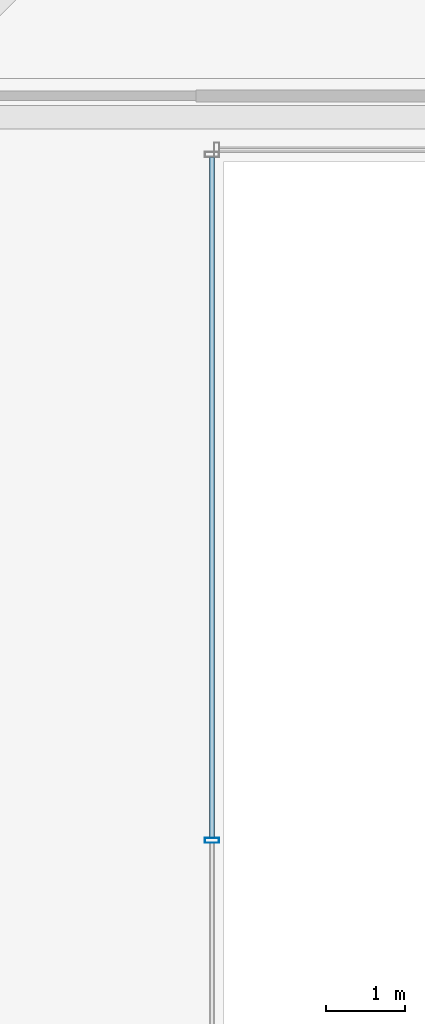
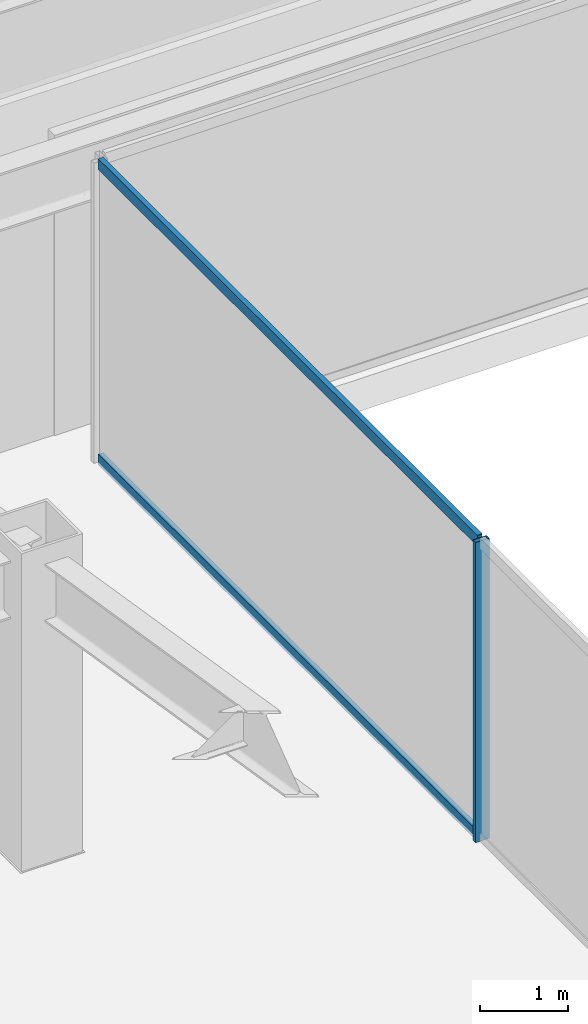
# One storey, part 14 of 49: 3 members, 1 element without a shape of its own.
"""IFC4 building model written with IfcOpenShell, lengths in metres."""

from ifc_helpers import new_model, si_unit, direction, frame, origin, origin_2d, place, context, subcontext, project, spatial, hollow_rectangle, extrude, material, material_profile, profile_set, type_object, element, aggregate, save


model = new_model("IFC4")

# Units and contexts
model_context = context("Model", 3, precision=1e-05, world=origin(), true_north=direction((0.0, 1.0)))
body_context = subcontext(model_context, "Body", "Model", "MODEL_VIEW")
ifc_project = project(units=[si_unit("LENGTHUNIT", "METRE"), si_unit("AREAUNIT", "SQUARE_METRE"), si_unit("VOLUMEUNIT", "CUBIC_METRE"), si_unit("PLANEANGLEUNIT", "RADIAN"), si_unit("MASSUNIT", "GRAM", prefix="KILO")], contexts=[model_context])

# Site, building, storey
site_placement = place(None, origin())
site = spatial("IfcSite", under=ifc_project, at=site_placement, CompositionType="ELEMENT")
building_placement = place(site_placement, origin())
building = spatial("IfcBuilding", under=site, at=building_placement, Name="Saevonmaru Cultural Tower", CompositionType="ELEMENT")
storey_placement = place(building_placement, frame((0.0, 0.0, 38.39990234375)))
storey = spatial("IfcBuildingStorey", under=building, at=storey_placement, Name="L07", CompositionType="ELEMENT", Elevation=38.39990234375)

# Curtain wall, members
ifc_material = material(Name="Satin Bronze Anodised Aluminium", Category="aluminium")
curtain_wall_type = type_object("IfcCurtainWallType", Name="CW-ATR-GLZ", PredefinedType="NOTDEFINED", material=ifc_material)
curtain_wall_placement = place(storey_placement, origin())
curtain_wall = element("IfcCurtainWall", 1, at=curtain_wall_placement, inside=storey, type_object=curtain_wall_type, Name="L07 Vertical Atrium Glazed Smoke Screen 4", PredefinedType="NOTDEFINED")
ifc_material_profile_1 = material_profile(ifc_material, hollow_rectangle(XDim=0.06494140625, YDim=0.179931640625, WallThickness=0.00390625, at=origin_2d()), Name="ALU-MULL-180x65x4")
ifc_profile_set_1 = profile_set([ifc_material_profile_1], Name="Satin Bronze Anodised Aluminium")
member_type_1 = type_object("IfcMemberType", Name="ML-CW-INT-180x65", PredefinedType="MULLION", material=ifc_profile_set_1)
member_1_placement = place(storey_placement, frame((24.050048828125, 29.56005859375, 0.0), z_axis=(0.0, 0.0, 1.0), x_axis=(0.0, -1.0, 0.0)))
member_1 = element("IfcMember", 2, at=member_1_placement, type_object=member_type_1, Name="CW-ATR-L07-4 mullion 2", PredefinedType="MULLION", context=body_context, shape_type="SweptSolid", body=[
    extrude(hollow_rectangle(XDim=0.06494140625, YDim=0.179931640625, WallThickness=0.00390625, at=origin_2d()), origin(), (0.0, 0.0, 1.0), 4.150146484375),
])
ifc_material_profile_2 = material_profile(ifc_material, hollow_rectangle(XDim=0.06494140625, YDim=0.14990234375, WallThickness=0.00390625, at=origin_2d()), Name="ALU-TRAN-150x65x4")
ifc_profile_set_2 = profile_set([ifc_material_profile_2], Name="Satin Bronze Anodised Aluminium")
member_type_2 = type_object("IfcMemberType", Name="TR-CW-INT-150x65", PredefinedType="USERDEFINED", material=ifc_profile_set_2)
member_2_placement = place(storey_placement, frame((24.050048828125, 38.177490234375, 0.03271484375), z_axis=(0.0, -1.0, 0.0), x_axis=(1.0, 0.0, 0.0)))
member_2 = element("IfcMember", 3, at=member_2_placement, type_object=member_type_2, Name="CW-ATR-L07-4 transom 1.1", ObjectType="TRANSOM", PredefinedType="USERDEFINED", context=body_context, shape_type="SweptSolid", body=[
    extrude(hollow_rectangle(XDim=0.06494140625, YDim=0.14990234375, WallThickness=0.00390625, at=origin_2d()), origin(), (0.0, 0.0, 1.0), 8.5849609375),
])
member_3_placement = place(storey_placement, frame((24.050048828125, 38.177490234375, 4.11767578125), z_axis=(0.0, -1.0, 0.0), x_axis=(1.0, 0.0, 0.0)))
member_3 = element("IfcMember", 4, at=member_3_placement, type_object=member_type_2, Name="CW-ATR-L07-4 transom 1.2", ObjectType="TRANSOM", PredefinedType="USERDEFINED", context=body_context, shape_type="SweptSolid", body=[
    extrude(hollow_rectangle(XDim=0.06494140625, YDim=0.14990234375, WallThickness=0.00390625, at=origin_2d()), origin(), (0.0, 0.0, 1.0), 8.5849609375),
])
aggregate(curtain_wall, [member_1, member_2, member_3])

save(model, "model.ifc")
